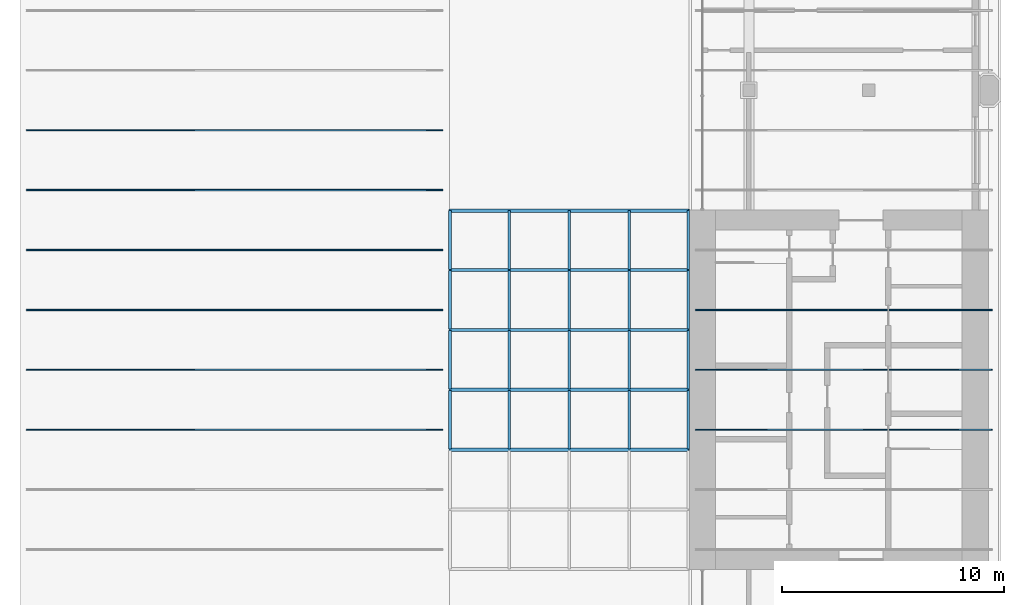
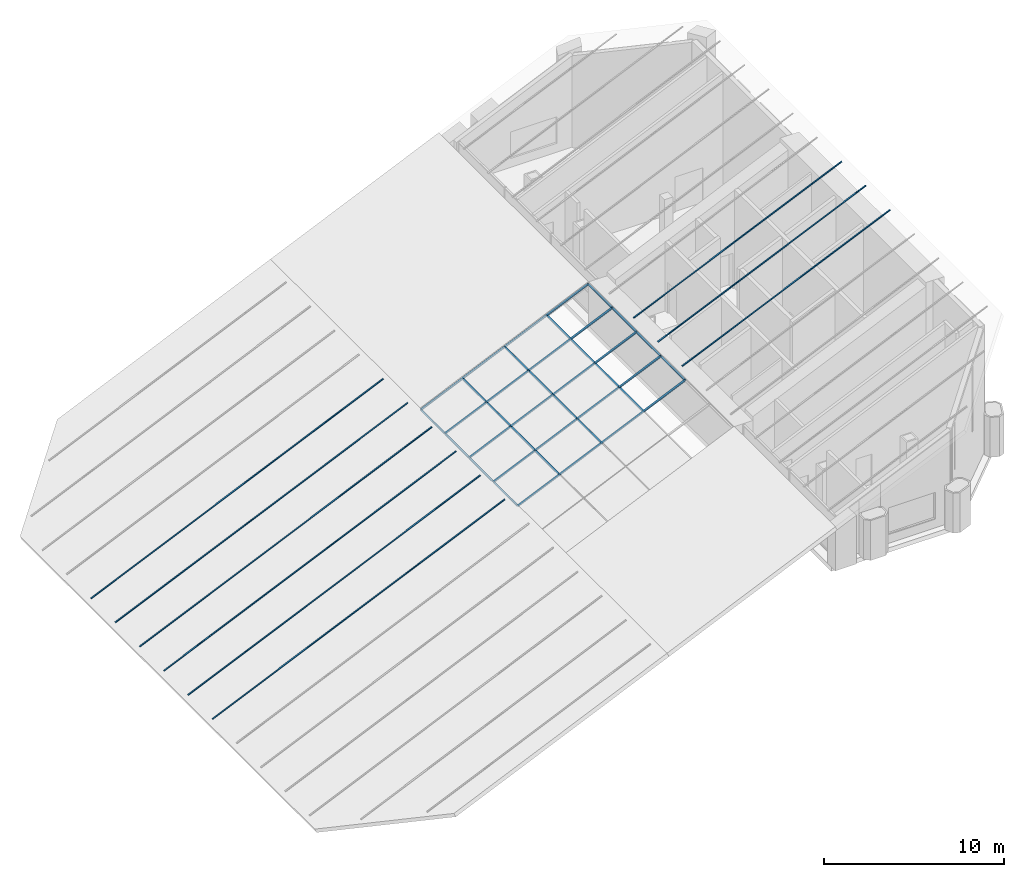
# One storey, part 3 of 10: 34 members, 1 element without a shape of its own.
"""IFC4 building model written with IfcOpenShell, lengths in metres."""

from ifc_helpers import new_model, si_unit, direction, frame, origin, origin_2d, place, context, subcontext, project, spatial, rectangle, extrude, material, material_profile, profile_set, type_object, element, aggregate, save


model = new_model("IFC4")

# Units and contexts
model_context = context("Model", 3, precision=1e-05, world=origin(), true_north=direction((0.0, 1.0)))
body_context = subcontext(model_context, "Body", "Model", "MODEL_VIEW")
ifc_project = project(units=[si_unit("LENGTHUNIT", "METRE"), si_unit("AREAUNIT", "SQUARE_METRE"), si_unit("VOLUMEUNIT", "CUBIC_METRE"), si_unit("PLANEANGLEUNIT", "RADIAN"), si_unit("MASSUNIT", "GRAM", prefix="KILO")], contexts=[model_context])

# Site, building, storey
site_placement = place(None, origin())
site = spatial("IfcSite", under=ifc_project, at=site_placement, CompositionType="ELEMENT")
building_placement = place(site_placement, origin())
building = spatial("IfcBuilding", under=site, at=building_placement, Name="Tabaq Tower and Sports Hall", CompositionType="ELEMENT")
storey_placement = place(building_placement, frame((0.0, 0.0, 335.199951171875)))
storey = spatial("IfcBuildingStorey", under=building, at=storey_placement, Name="L83", CompositionType="ELEMENT", Elevation=335.199951171875)

# Curtain wall, members
ifc_material_1 = material(Name="Aluminium alloy 6063-T6 framed glazing", Category="aluminium")
curtain_wall_type = type_object("IfcCurtainWallType", Name="CW5 curtain wall", PredefinedType="USERDEFINED", material=ifc_material_1)
curtain_wall_placement = place(storey_placement, origin())
curtain_wall = element("IfcCurtainWall", 1, at=curtain_wall_placement, inside=storey, type_object=curtain_wall_type, Name="Atrium rooflight", ObjectType="CROWN GLAZING", PredefinedType="USERDEFINED")
ifc_material_2 = material(Name="Aluminium alloy 6063-T6", Category="aluminium")
ifc_material_profile_1 = material_profile(ifc_material_2, rectangle(XDim=0.139892578125, YDim=0.06005859375, at=origin_2d()), Name="MULLION 140x60")
ifc_profile_set_1 = profile_set([ifc_material_profile_1], Name="Aluminium alloy 6063-T6")
member_type_1 = type_object("IfcMemberType", Name="CW5 mullion 140x60", PredefinedType="MULLION", material=ifc_profile_set_1)
member_1_placement = place(storey_placement, frame((18.89990234375, 21.60009765625, -1.919921875), z_axis=(0.913810696777, 0.0, 0.406140382696), x_axis=(0.0, 1.0, 0.0)))
member_1 = element("IfcMember", 2, at=member_1_placement, type_object=member_type_1, Name="Rooflight mullion 3", PredefinedType="MULLION", context=body_context, shape_type="SweptSolid", body=[
    extrude(rectangle(XDim=0.139892578125, YDim=0.06005859375, at=origin_2d()), origin(), (0.0, 0.0, 1.0), 11.818603515625),
])
member_2_placement = place(storey_placement, frame((18.89990234375, 24.300048828125, -1.919921875), z_axis=(0.913810696777, 0.0, 0.406140382696), x_axis=(0.0, 1.0, 0.0)))
member_2 = element("IfcMember", 3, at=member_2_placement, type_object=member_type_1, Name="Rooflight mullion 4", PredefinedType="MULLION", context=body_context, shape_type="SweptSolid", body=[
    extrude(rectangle(XDim=0.139892578125, YDim=0.06005859375, at=origin_2d()), origin(), (0.0, 0.0, 1.0), 11.818603515625),
])
member_3_placement = place(storey_placement, frame((18.89990234375, 27.0, -1.919921875), z_axis=(0.913810696777, 0.0, 0.406140382696), x_axis=(0.0, 1.0, 0.0)))
member_3 = element("IfcMember", 4, at=member_3_placement, type_object=member_type_1, Name="Rooflight mullion 5", PredefinedType="MULLION", context=body_context, shape_type="SweptSolid", body=[
    extrude(rectangle(XDim=0.139892578125, YDim=0.06005859375, at=origin_2d()), origin(), (0.0, 0.0, 1.0), 11.818603515625),
])
member_4_placement = place(storey_placement, frame((18.89990234375, 29.699951171875, -1.919921875), z_axis=(0.913810696777, 0.0, 0.406140382696), x_axis=(0.0, 1.0, 0.0)))
member_4 = element("IfcMember", 5, at=member_4_placement, type_object=member_type_1, Name="Rooflight mullion 6", PredefinedType="MULLION", context=body_context, shape_type="SweptSolid", body=[
    extrude(rectangle(XDim=0.139892578125, YDim=0.06005859375, at=origin_2d()), origin(), (0.0, 0.0, 1.0), 11.818603515625),
])
member_5_placement = place(storey_placement, frame((18.89990234375, 32.3701171875, -1.919921875), z_axis=(0.913810696777, 0.0, 0.406140382696), x_axis=(0.0, 1.0, 0.0)))
member_5 = element("IfcMember", 6, at=member_5_placement, type_object=member_type_1, Name="Rooflight mullion 7", PredefinedType="MULLION", context=body_context, shape_type="SweptSolid", body=[
    extrude(rectangle(XDim=0.139892578125, YDim=0.06005859375, at=origin_2d()), origin(), (0.0, 0.0, 1.0), 11.818603515625),
])
ifc_material_3 = material(Name="Aluminium alloy 6063-T6", Category="aluminium")
ifc_material_profile_2 = material_profile(ifc_material_3, rectangle(XDim=0.1201171875, YDim=0.06005859375, at=origin_2d()), Name="TRANSOM 120x60")
ifc_profile_set_2 = profile_set([ifc_material_profile_2], Name="Aluminium alloy 6063-T6")
member_type_2 = type_object("IfcMemberType", Name="CW5 transom 120x60", PredefinedType="USERDEFINED", material=ifc_profile_set_2)
member_6_placement = place(storey_placement, frame((18.929931640625, 21.6298828125, -1.91650390625), z_axis=(0.0, 1.0, 0.0), x_axis=(-1.0, 0.0, 0.0)))
member_6 = element("IfcMember", 7, at=member_6_placement, type_object=member_type_2, Name="Rooflight transom 1.3", ObjectType="TRANSOM", PredefinedType="USERDEFINED", context=body_context, shape_type="SweptSolid", body=[
    extrude(rectangle(XDim=0.1201171875, YDim=0.06005859375, at=origin_2d()), origin(), (0.0, 0.0, 1.0), 2.64013671875),
])
member_7_placement = place(storey_placement, frame((18.929931640625, 24.330078125, -1.91650390625), z_axis=(0.0, 1.0, 0.0), x_axis=(-1.0, 0.0, 0.0)))
member_7 = element("IfcMember", 8, at=member_7_placement, type_object=member_type_2, Name="Rooflight transom 1.4", ObjectType="TRANSOM", PredefinedType="USERDEFINED", context=body_context, shape_type="SweptSolid", body=[
    extrude(rectangle(XDim=0.1201171875, YDim=0.06005859375, at=origin_2d()), origin(), (0.0, 0.0, 1.0), 2.639892578125),
])
member_8_placement = place(storey_placement, frame((18.929931640625, 27.030029296875, -1.91650390625), z_axis=(0.0, 1.0, 0.0), x_axis=(-1.0, 0.0, 0.0)))
member_8 = element("IfcMember", 9, at=member_8_placement, type_object=member_type_2, Name="Rooflight transom 1.5", ObjectType="TRANSOM", PredefinedType="USERDEFINED", context=body_context, shape_type="SweptSolid", body=[
    extrude(rectangle(XDim=0.1201171875, YDim=0.06005859375, at=origin_2d()), origin(), (0.0, 0.0, 1.0), 2.639892578125),
])
member_9_placement = place(storey_placement, frame((18.929931640625, 29.72998046875, -1.91650390625), z_axis=(0.0, 1.0, 0.0), x_axis=(-1.0, 0.0, 0.0)))
member_9 = element("IfcMember", 10, at=member_9_placement, type_object=member_type_2, Name="Rooflight transom 1.6", ObjectType="TRANSOM", PredefinedType="USERDEFINED", context=body_context, shape_type="SweptSolid", body=[
    extrude(rectangle(XDim=0.1201171875, YDim=0.06005859375, at=origin_2d()), origin(), (0.0, 0.0, 1.0), 2.64013671875),
])
member_10_placement = place(storey_placement, frame((21.60009765625, 21.6298828125, -0.72998046875), z_axis=(0.0, 1.0, 0.0), x_axis=(-1.0, 0.0, 0.0)))
member_10 = element("IfcMember", 11, at=member_10_placement, type_object=member_type_2, Name="Rooflight transom 2.3", ObjectType="TRANSOM", PredefinedType="USERDEFINED", context=body_context, shape_type="SweptSolid", body=[
    extrude(rectangle(XDim=0.1201171875, YDim=0.06005859375, at=origin_2d()), origin(), (0.0, 0.0, 1.0), 2.64013671875),
])
member_11_placement = place(storey_placement, frame((21.60009765625, 24.330078125, -0.72998046875), z_axis=(0.0, 1.0, 0.0), x_axis=(-1.0, 0.0, 0.0)))
member_11 = element("IfcMember", 12, at=member_11_placement, type_object=member_type_2, Name="Rooflight transom 2.4", ObjectType="TRANSOM", PredefinedType="USERDEFINED", context=body_context, shape_type="SweptSolid", body=[
    extrude(rectangle(XDim=0.1201171875, YDim=0.06005859375, at=origin_2d()), origin(), (0.0, 0.0, 1.0), 2.639892578125),
])
member_12_placement = place(storey_placement, frame((21.60009765625, 27.030029296875, -0.72998046875), z_axis=(0.0, 1.0, 0.0), x_axis=(-1.0, 0.0, 0.0)))
member_12 = element("IfcMember", 13, at=member_12_placement, type_object=member_type_2, Name="Rooflight transom 2.5", ObjectType="TRANSOM", PredefinedType="USERDEFINED", context=body_context, shape_type="SweptSolid", body=[
    extrude(rectangle(XDim=0.1201171875, YDim=0.06005859375, at=origin_2d()), origin(), (0.0, 0.0, 1.0), 2.639892578125),
])
member_13_placement = place(storey_placement, frame((21.60009765625, 29.72998046875, -0.72998046875), z_axis=(0.0, 1.0, 0.0), x_axis=(-1.0, 0.0, 0.0)))
member_13 = element("IfcMember", 14, at=member_13_placement, type_object=member_type_2, Name="Rooflight transom 2.6", ObjectType="TRANSOM", PredefinedType="USERDEFINED", context=body_context, shape_type="SweptSolid", body=[
    extrude(rectangle(XDim=0.1201171875, YDim=0.06005859375, at=origin_2d()), origin(), (0.0, 0.0, 1.0), 2.64013671875),
])
member_14_placement = place(storey_placement, frame((24.300048828125, 21.6298828125, 0.469970703125), z_axis=(0.0, 1.0, 0.0), x_axis=(-1.0, 0.0, 0.0)))
member_14 = element("IfcMember", 15, at=member_14_placement, type_object=member_type_2, Name="Rooflight transom 3.3", ObjectType="TRANSOM", PredefinedType="USERDEFINED", context=body_context, shape_type="SweptSolid", body=[
    extrude(rectangle(XDim=0.1201171875, YDim=0.06005859375, at=origin_2d()), origin(), (0.0, 0.0, 1.0), 2.64013671875),
])
member_15_placement = place(storey_placement, frame((24.300048828125, 24.330078125, 0.469970703125), z_axis=(0.0, 1.0, 0.0), x_axis=(-1.0, 0.0, 0.0)))
member_15 = element("IfcMember", 16, at=member_15_placement, type_object=member_type_2, Name="Rooflight transom 3.4", ObjectType="TRANSOM", PredefinedType="USERDEFINED", context=body_context, shape_type="SweptSolid", body=[
    extrude(rectangle(XDim=0.1201171875, YDim=0.06005859375, at=origin_2d()), origin(), (0.0, 0.0, 1.0), 2.639892578125),
])
member_16_placement = place(storey_placement, frame((24.300048828125, 27.030029296875, 0.469970703125), z_axis=(0.0, 1.0, 0.0), x_axis=(-1.0, 0.0, 0.0)))
member_16 = element("IfcMember", 17, at=member_16_placement, type_object=member_type_2, Name="Rooflight transom 3.5", ObjectType="TRANSOM", PredefinedType="USERDEFINED", context=body_context, shape_type="SweptSolid", body=[
    extrude(rectangle(XDim=0.1201171875, YDim=0.06005859375, at=origin_2d()), origin(), (0.0, 0.0, 1.0), 2.639892578125),
])
member_17_placement = place(storey_placement, frame((24.300048828125, 29.72998046875, 0.469970703125), z_axis=(0.0, 1.0, 0.0), x_axis=(-1.0, 0.0, 0.0)))
member_17 = element("IfcMember", 18, at=member_17_placement, type_object=member_type_2, Name="Rooflight transom 3.6", ObjectType="TRANSOM", PredefinedType="USERDEFINED", context=body_context, shape_type="SweptSolid", body=[
    extrude(rectangle(XDim=0.1201171875, YDim=0.06005859375, at=origin_2d()), origin(), (0.0, 0.0, 1.0), 2.64013671875),
])
member_18_placement = place(storey_placement, frame((27.0, 21.6298828125, 1.670166015625), z_axis=(0.0, 1.0, 0.0), x_axis=(-1.0, 0.0, 0.0)))
member_18 = element("IfcMember", 19, at=member_18_placement, type_object=member_type_2, Name="Rooflight transom 4.3", ObjectType="TRANSOM", PredefinedType="USERDEFINED", context=body_context, shape_type="SweptSolid", body=[
    extrude(rectangle(XDim=0.1201171875, YDim=0.06005859375, at=origin_2d()), origin(), (0.0, 0.0, 1.0), 2.64013671875),
])
member_19_placement = place(storey_placement, frame((27.0, 24.330078125, 1.670166015625), z_axis=(0.0, 1.0, 0.0), x_axis=(-1.0, 0.0, 0.0)))
member_19 = element("IfcMember", 20, at=member_19_placement, type_object=member_type_2, Name="Rooflight transom 4.4", ObjectType="TRANSOM", PredefinedType="USERDEFINED", context=body_context, shape_type="SweptSolid", body=[
    extrude(rectangle(XDim=0.1201171875, YDim=0.06005859375, at=origin_2d()), origin(), (0.0, 0.0, 1.0), 2.639892578125),
])
member_20_placement = place(storey_placement, frame((27.0, 27.030029296875, 1.670166015625), z_axis=(0.0, 1.0, 0.0), x_axis=(-1.0, 0.0, 0.0)))
member_20 = element("IfcMember", 21, at=member_20_placement, type_object=member_type_2, Name="Rooflight transom 4.5", ObjectType="TRANSOM", PredefinedType="USERDEFINED", context=body_context, shape_type="SweptSolid", body=[
    extrude(rectangle(XDim=0.1201171875, YDim=0.06005859375, at=origin_2d()), origin(), (0.0, 0.0, 1.0), 2.639892578125),
])
member_21_placement = place(storey_placement, frame((27.0, 29.72998046875, 1.670166015625), z_axis=(0.0, 1.0, 0.0), x_axis=(-1.0, 0.0, 0.0)))
member_21 = element("IfcMember", 22, at=member_21_placement, type_object=member_type_2, Name="Rooflight transom 4.6", ObjectType="TRANSOM", PredefinedType="USERDEFINED", context=body_context, shape_type="SweptSolid", body=[
    extrude(rectangle(XDim=0.1201171875, YDim=0.06005859375, at=origin_2d()), origin(), (0.0, 0.0, 1.0), 2.64013671875),
])
member_22_placement = place(storey_placement, frame((29.669921875, 21.6298828125, 2.856689453125), z_axis=(0.0, 1.0, 0.0), x_axis=(-1.0, 0.0, 0.0)))
member_22 = element("IfcMember", 23, at=member_22_placement, type_object=member_type_2, Name="Rooflight transom 5.3", ObjectType="TRANSOM", PredefinedType="USERDEFINED", context=body_context, shape_type="SweptSolid", body=[
    extrude(rectangle(XDim=0.1201171875, YDim=0.06005859375, at=origin_2d()), origin(), (0.0, 0.0, 1.0), 2.64013671875),
])
member_23_placement = place(storey_placement, frame((29.669921875, 24.330078125, 2.856689453125), z_axis=(0.0, 1.0, 0.0), x_axis=(-1.0, 0.0, 0.0)))
member_23 = element("IfcMember", 24, at=member_23_placement, type_object=member_type_2, Name="Rooflight transom 5.4", ObjectType="TRANSOM", PredefinedType="USERDEFINED", context=body_context, shape_type="SweptSolid", body=[
    extrude(rectangle(XDim=0.1201171875, YDim=0.06005859375, at=origin_2d()), origin(), (0.0, 0.0, 1.0), 2.639892578125),
])
member_24_placement = place(storey_placement, frame((29.669921875, 27.030029296875, 2.856689453125), z_axis=(0.0, 1.0, 0.0), x_axis=(-1.0, 0.0, 0.0)))
member_24 = element("IfcMember", 25, at=member_24_placement, type_object=member_type_2, Name="Rooflight transom 5.5", ObjectType="TRANSOM", PredefinedType="USERDEFINED", context=body_context, shape_type="SweptSolid", body=[
    extrude(rectangle(XDim=0.1201171875, YDim=0.06005859375, at=origin_2d()), origin(), (0.0, 0.0, 1.0), 2.639892578125),
])
member_25_placement = place(storey_placement, frame((29.669921875, 29.72998046875, 2.856689453125), z_axis=(0.0, 1.0, 0.0), x_axis=(-1.0, 0.0, 0.0)))
member_25 = element("IfcMember", 26, at=member_25_placement, type_object=member_type_2, Name="Rooflight transom 5.6", ObjectType="TRANSOM", PredefinedType="USERDEFINED", context=body_context, shape_type="SweptSolid", body=[
    extrude(rectangle(XDim=0.1201171875, YDim=0.06005859375, at=origin_2d()), origin(), (0.0, 0.0, 1.0), 2.64013671875),
])
aggregate(curtain_wall, [member_1, member_2, member_3, member_4, member_5, member_6, member_7, member_8, member_9, member_10, member_11, member_12, member_13, member_14, member_15, member_16, member_17, member_18, member_19, member_20, member_21, member_22, member_23, member_24, member_25])

# Members
ifc_material_4 = material(Name="Steel S355", Category="steel")
ifc_material_profile_3 = material_profile(ifc_material_4, rectangle(XDim=0.06005859375, YDim=0.050048828125, at=origin_2d()), Name="FL 60x50")
ifc_profile_set_3 = profile_set([ifc_material_profile_3], Name="Steel S355")
member_type_3 = type_object("IfcMemberType", Name="HALL ROOF SEAM RIB FL 60x50", PredefinedType="STRINGER", material=ifc_profile_set_3)
member_26_placement = place(storey_placement, frame((-0.14990234375, 22.5, -10.2412109375), z_axis=(0.913808604625, 0.0, 0.406145089978), x_axis=(0.0, 1.0, 0.0)))
element("IfcMember", 27, at=member_26_placement, inside=storey, type_object=member_type_3, Name="Crown roof seam rib W06", PredefinedType="STRINGER", context=body_context, shape_type="SweptSolid", body=[
    extrude(rectangle(XDim=0.06005859375, YDim=0.050048828125, at=origin_2d()), origin(), (0.0, 0.0, 1.0), 20.5185546875),
])
member_27_placement = place(storey_placement, frame((30.0, 22.5, 3.158935546875), z_axis=(0.913812237748, 0.0, 0.406136915512), x_axis=(0.0, 1.0, 0.0)))
element("IfcMember", 28, at=member_27_placement, inside=storey, type_object=member_type_3, Name="Crown roof seam rib E06", PredefinedType="STRINGER", context=body_context, shape_type="SweptSolid", body=[
    extrude(rectangle(XDim=0.06005859375, YDim=0.050048828125, at=origin_2d()), origin(), (0.0, 0.0, 1.0), 14.609130859375),
])
member_28_placement = place(storey_placement, frame((-0.14990234375, 25.199951171875, -10.2412109375), z_axis=(0.913808604625, 0.0, 0.406145089978), x_axis=(0.0, 1.0, 0.0)))
element("IfcMember", 29, at=member_28_placement, inside=storey, type_object=member_type_3, Name="Crown roof seam rib W07", PredefinedType="STRINGER", context=body_context, shape_type="SweptSolid", body=[
    extrude(rectangle(XDim=0.06005859375, YDim=0.050048828125, at=origin_2d()), origin(), (0.0, 0.0, 1.0), 20.5185546875),
])
member_29_placement = place(storey_placement, frame((30.0, 25.199951171875, 3.158935546875), z_axis=(0.913812237748, 0.0, 0.406136915512), x_axis=(0.0, 1.0, 0.0)))
element("IfcMember", 30, at=member_29_placement, inside=storey, type_object=member_type_3, Name="Crown roof seam rib E07", PredefinedType="STRINGER", context=body_context, shape_type="SweptSolid", body=[
    extrude(rectangle(XDim=0.06005859375, YDim=0.050048828125, at=origin_2d()), origin(), (0.0, 0.0, 1.0), 14.609130859375),
])
member_30_placement = place(storey_placement, frame((-0.14990234375, 27.89990234375, -10.2412109375), z_axis=(0.913808604625, 0.0, 0.406145089978), x_axis=(0.0, 1.0, 0.0)))
element("IfcMember", 31, at=member_30_placement, inside=storey, type_object=member_type_3, Name="Crown roof seam rib W08", PredefinedType="STRINGER", context=body_context, shape_type="SweptSolid", body=[
    extrude(rectangle(XDim=0.06005859375, YDim=0.050048828125, at=origin_2d()), origin(), (0.0, 0.0, 1.0), 20.5185546875),
])
member_31_placement = place(storey_placement, frame((30.0, 27.89990234375, 3.158935546875), z_axis=(0.913812237748, 0.0, 0.406136915512), x_axis=(0.0, 1.0, 0.0)))
element("IfcMember", 32, at=member_31_placement, inside=storey, type_object=member_type_3, Name="Crown roof seam rib E08", PredefinedType="STRINGER", context=body_context, shape_type="SweptSolid", body=[
    extrude(rectangle(XDim=0.06005859375, YDim=0.050048828125, at=origin_2d()), origin(), (0.0, 0.0, 1.0), 14.609130859375),
])
for number, where, z_axis, x_axis, name in (
    (33, (-0.14990234375, 30.60009765625, -10.2412109375), (0.913808604625, 0.0, 0.406145089978), (0.0, 1.0, 0.0), "Crown roof seam rib W09"),
    (34, (-0.14990234375, 33.300048828125, -10.2412109375), (0.913808604625, 0.0, 0.406145089978), (0.0, 1.0, 0.0), "Crown roof seam rib W10"),
    (35, (-0.14990234375, 36.0, -10.2412109375), (0.913808604625, 0.0, 0.406145089978), (0.0, 1.0, 0.0), "Crown roof seam rib W11"),
):
    element("IfcMember", number, at=place(storey_placement, frame(where, z_axis=z_axis, x_axis=x_axis)), inside=storey, type_object=member_type_3, Name=name, PredefinedType="STRINGER", context=body_context, shape_type="SweptSolid", body=[
        extrude(rectangle(XDim=0.06005859375, YDim=0.050048828125, at=origin_2d()), origin(), (0.0, 0.0, 1.0), 20.5185546875),
    ])

save(model, "model.ifc")
